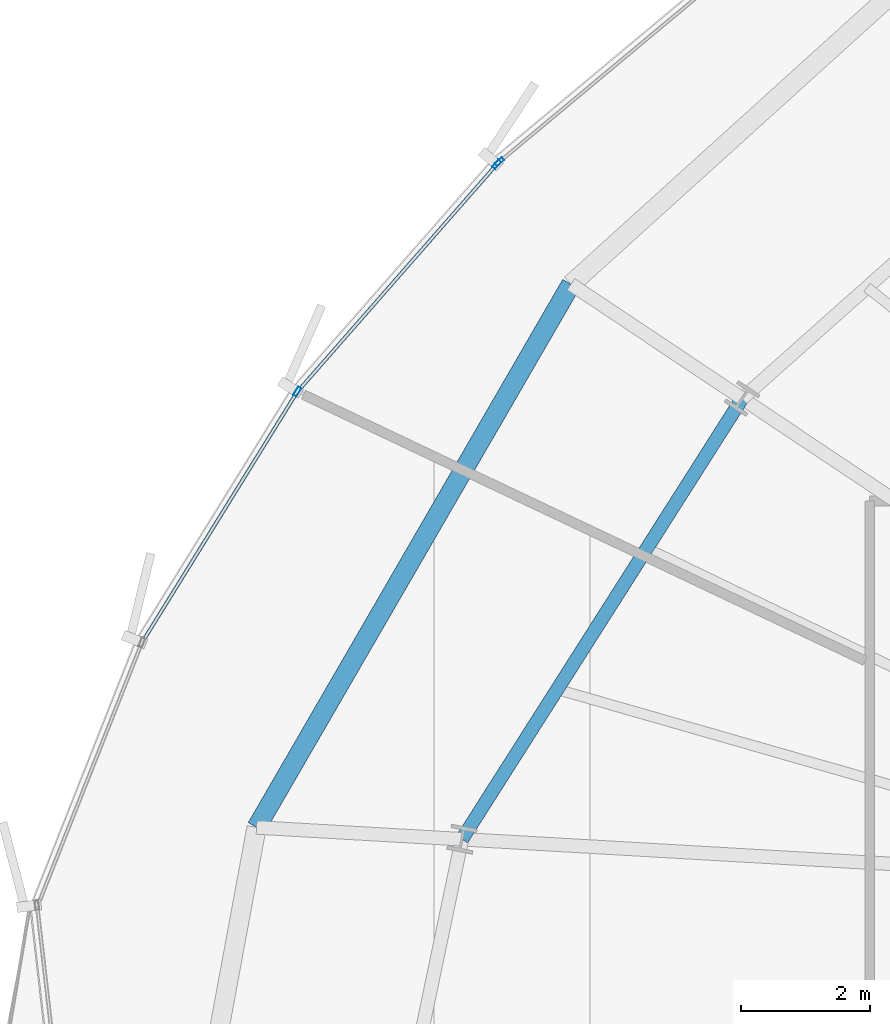
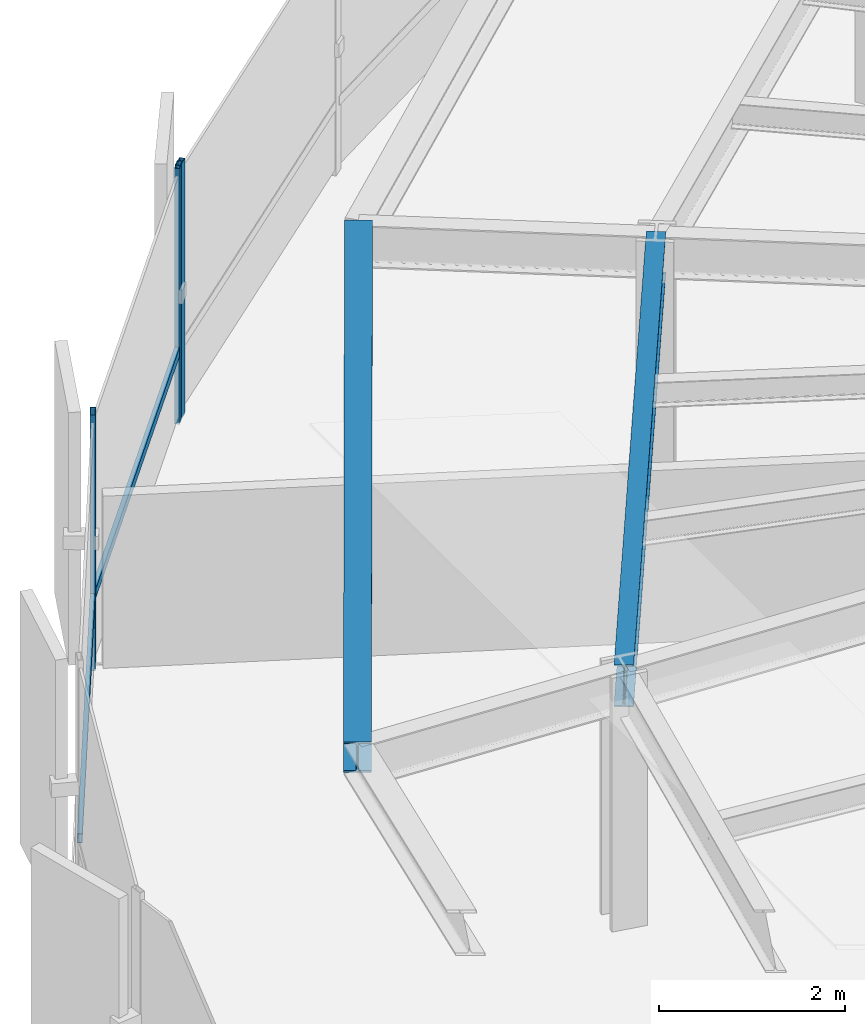
# One storey, part 17 of 33: 5 members, 2 beams, 2 elements without a shape of their own.
"""IFC4 building model written with IfcOpenShell, lengths in metres."""

from ifc_helpers import new_model, si_unit, direction, frame, origin, origin_2d, place, context, subcontext, project, spatial, hollow_rectangle, i_section, extrude, source, transform, mapped, material, layer, layer_set, material_profile, profile_set, type_object, element, aggregate, save


model = new_model("IFC4")

# Units and contexts
model_context = context("Model", 3, precision=1e-05, world=origin(), true_north=direction((0.0, 1.0)))
body_context = subcontext(model_context, "Body", "Model", "MODEL_VIEW")
ifc_project = project(units=[si_unit("LENGTHUNIT", "METRE"), si_unit("AREAUNIT", "SQUARE_METRE"), si_unit("VOLUMEUNIT", "CUBIC_METRE"), si_unit("PLANEANGLEUNIT", "RADIAN"), si_unit("MASSUNIT", "GRAM", prefix="KILO"), si_unit("THERMODYNAMICTEMPERATUREUNIT", "KELVIN")], contexts=[model_context])

# Site, building, storey
site_placement = place(None, origin())
site = spatial("IfcSite", under=ifc_project, at=site_placement, CompositionType="ELEMENT")
building_placement = place(site_placement, origin())
building = spatial("IfcBuilding", under=site, at=building_placement, Name="Kethvar Cultural Tower", CompositionType="ELEMENT")
storey_placement = place(building_placement, frame((0.0, 0.0, 110.800048828125)))
storey = spatial("IfcBuildingStorey", under=building, at=storey_placement, Name="L27", CompositionType="ELEMENT", Elevation=110.800048828125)

# Beams
ifc_material_1 = material(Name="Steel S355J2", Category="steel")
ifc_material_profile_1 = material_profile(ifc_material_1, i_section(OverallWidth=0.2099609375, OverallDepth=0.550048828125, WebThickness=0.010986328125, FlangeThickness=0.01708984375, FilletRadius=0.02392578125, at=origin_2d()), Name="Steel S355J2 — IPE550")
ifc_profile_set_1 = profile_set([ifc_material_profile_1], Name="Steel S355J2 — IPE550")
beam_type_1 = type_object("IfcBeamType", Name="BM-IPE550", PredefinedType="BEAM", material=ifc_profile_set_1)
shared_shape_1 = source(origin(), body_context, "Body", "SweptSolid", [
    extrude(i_section(OverallWidth=0.2099609375, OverallDepth=0.550048828125, WebThickness=0.010986328125, FlangeThickness=0.01708984375, FilletRadius=0.02392578125, at=origin_2d()), origin(), (0.0, 0.0, 1.0), 8.122314453125),
])
beam_1_placement = place(storey_placement, frame((30.345947265625, 38.794189453125, 3.072998046875), z_axis=(-0.536478664647, -0.843913883272, 0.0), x_axis=(0.843913883272, -0.536478664647, 0.0)))
element("IfcBeam", 1, at=beam_1_placement, inside=storey, type_object=beam_type_1, Name="L27 Column Ring Tie Beam CR-07", PredefinedType="BEAM", context=body_context, shape_type="MappedRepresentation", body=[
    mapped(shared_shape_1, transform((0.0, 0.0, 0.0), scale=1.0)),
])
ifc_material_profile_2 = material_profile(ifc_material_1, i_section(OverallWidth=0.300048828125, OverallDepth=0.39990234375, WebThickness=0.013427734375, FlangeThickness=0.02392578125, FilletRadius=0.027099609375, at=origin_2d()), Name="Steel S355J2 — HEB400")
ifc_profile_set_2 = profile_set([ifc_material_profile_2], Name="Steel S355J2 — HEB400")
beam_type_2 = type_object("IfcBeamType", Name="BM-SP400", PredefinedType="SPANDREL", material=ifc_profile_set_2)
shared_shape_2 = source(origin(), body_context, "Body", "SweptSolid", [
    extrude(i_section(OverallWidth=0.300048828125, OverallDepth=0.39990234375, WebThickness=0.013427734375, FlangeThickness=0.02392578125, FilletRadius=0.027099609375, at=origin_2d()), origin(), (0.0, 0.0, 1.0), 9.762939453125),
])
beam_2_placement = place(storey_placement, frame((27.685302734375, 40.572021484375, 3.14794921875), z_axis=(-0.501043170838, -0.865422290536, 0.0), x_axis=(0.865422290536, -0.501043170838, 0.0)))
element("IfcBeam", 2, at=beam_2_placement, inside=storey, type_object=beam_type_2, Name="L27 Perimeter Spandrel Beam SP-07", PredefinedType="SPANDREL", context=body_context, shape_type="MappedRepresentation", body=[
    mapped(shared_shape_2, transform((0.0, 0.0, 0.0), scale=1.0)),
])

# Curtain wall, member
ifc_material_2 = material(Name="Aluminium 6063-T6", Category="aluminium")
ifc_layer = layer(ifc_material_2, 0.179931640625, Name="Aluminium 6063-T6", Category="aluminium")
ifc_layer_set = layer_set([ifc_layer], Name="Aluminium 6063-T6 (180 mm)")
curtain_wall_type = type_object("IfcCurtainWallType", Name="CW-SYS-03-Z2", PredefinedType="NOTDEFINED", material=ifc_layer_set)
curtain_wall_1_placement = place(storey_placement, origin())
curtain_wall_1 = element("IfcCurtainWall", 3, at=curtain_wall_1_placement, inside=storey, type_object=curtain_wall_type, Name="L27 Curtain Wall Run 02", PredefinedType="NOTDEFINED")
ifc_material_profile_3 = material_profile(ifc_material_2, hollow_rectangle(XDim=0.06005859375, YDim=0.14990234375, WallThickness=0.0048828125, at=origin_2d()), Name="Aluminium 6063-T6 — RHS150x60x5")
ifc_profile_set_3 = profile_set([ifc_material_profile_3], Name="Aluminium 6063-T6 — RHS150x60x5")
member_type_1 = type_object("IfcMemberType", Name="CW-SYS-03-Z2-MUL", PredefinedType="MULLION", material=ifc_profile_set_3)
shared_shape_3 = source(origin(), body_context, "Body", "SweptSolid", [
    extrude(hollow_rectangle(XDim=0.06005859375, YDim=0.14990234375, WallThickness=0.0048828125, at=origin_2d()), origin(), (0.0, 0.0, 1.0), 3.349853515625),
])
member_1_placement = place(storey_placement, frame((26.572509765625, 42.4775390625, 0.0), z_axis=(0.0, 0.0, 1.0), x_axis=(0.640377842023, -0.768060036355, 0.0)))
member_1 = element("IfcMember", 4, at=member_1_placement, type_object=member_type_1, Name="CW-L27-R02 Mullion 7", PredefinedType="MULLION", context=body_context, shape_type="MappedRepresentation", body=[
    mapped(shared_shape_3, transform((0.0, 0.0, 0.0), scale=1.0)),
])
aggregate(curtain_wall_1, [member_1])

# Curtain wall, members
curtain_wall_2_placement = place(storey_placement, origin())
curtain_wall_2 = element("IfcCurtainWall", 5, at=curtain_wall_2_placement, inside=storey, type_object=curtain_wall_type, Name="L27 Curtain Wall Run 03", PredefinedType="NOTDEFINED")
member_2_placement = place(storey_placement, frame((26.529541015625, 42.435791015625, 0.0), z_axis=(0.0, 0.0, 1.0), x_axis=(0.751920356155, -0.659253955619, 0.0)))
member_2 = element("IfcMember", 6, at=member_2_placement, type_object=member_type_1, Name="CW-L27-R03 Mullion 1", PredefinedType="MULLION", context=body_context, shape_type="MappedRepresentation", body=[
    mapped(shared_shape_3, transform((0.0, 0.0, 0.0), scale=1.0)),
])
member_3_placement = place(storey_placement, frame((23.427490234375, 38.900390625, 0.0), z_axis=(0.0, 0.0, 1.0), x_axis=(0.85029711534, -0.526302969443, 0.0)))
member_3 = element("IfcMember", 7, at=member_3_placement, type_object=member_type_1, Name="CW-L27-R03 Mullion 2", PredefinedType="MULLION", context=body_context, shape_type="MappedRepresentation", body=[
    mapped(shared_shape_3, transform((0.0, 0.0, 0.0), scale=1.0)),
])
ifc_material_profile_4 = material_profile(ifc_material_2, hollow_rectangle(XDim=0.054931640625, YDim=0.1201171875, WallThickness=0.00390625, at=origin_2d()), Name="Aluminium 6063-T6 — RHS120x55x4")
ifc_profile_set_4 = profile_set([ifc_material_profile_4], Name="Aluminium 6063-T6 — RHS120x55x4")
member_type_2 = type_object("IfcMemberType", Name="CW-SYS-03-Z2-TRN", PredefinedType="USERDEFINED", material=ifc_profile_set_4)
shared_shape_4 = source(origin(), body_context, "Body", "SweptSolid", [
    extrude(hollow_rectangle(XDim=0.054931640625, YDim=0.1201171875, WallThickness=0.00390625, at=origin_2d()), origin(), (0.0, 0.0, 1.0), 4.675048828125),
])
member_4_placement = place(storey_placement, frame((26.52685546875, 42.4326171875, 0.949951171875), z_axis=(-0.659265897751, -0.7519098856, 0.0), x_axis=(0.7519098856, -0.659265897751, 0.0)))
member_4 = element("IfcMember", 8, at=member_4_placement, type_object=member_type_2, Name="CW-L27-R03 Transom 1", ObjectType="TRANSOM", PredefinedType="USERDEFINED", context=body_context, shape_type="MappedRepresentation", body=[
    mapped(shared_shape_4, transform((0.0, 0.0, 0.0), scale=1.0)),
])
shared_shape_5 = source(origin(), body_context, "Body", "SweptSolid", [
    extrude(hollow_rectangle(XDim=0.054931640625, YDim=0.1201171875, WallThickness=0.00390625, at=origin_2d()), origin(), (0.0, 0.0, 1.0), 4.52294921875),
])
member_5_placement = place(storey_placement, frame((23.40478515625, 38.863525390625, 0.949951171875), z_axis=(-0.526282141065, -0.850310006995, 0.0), x_axis=(0.850310006995, -0.526282141065, 0.0)))
member_5 = element("IfcMember", 9, at=member_5_placement, type_object=member_type_2, Name="CW-L27-R03 Transom 2", ObjectType="TRANSOM", PredefinedType="USERDEFINED", context=body_context, shape_type="MappedRepresentation", body=[
    mapped(shared_shape_5, transform((0.0, 0.0, 0.0), scale=1.0)),
])
aggregate(curtain_wall_2, [member_2, member_3, member_4, member_5])

save(model, "model.ifc")
